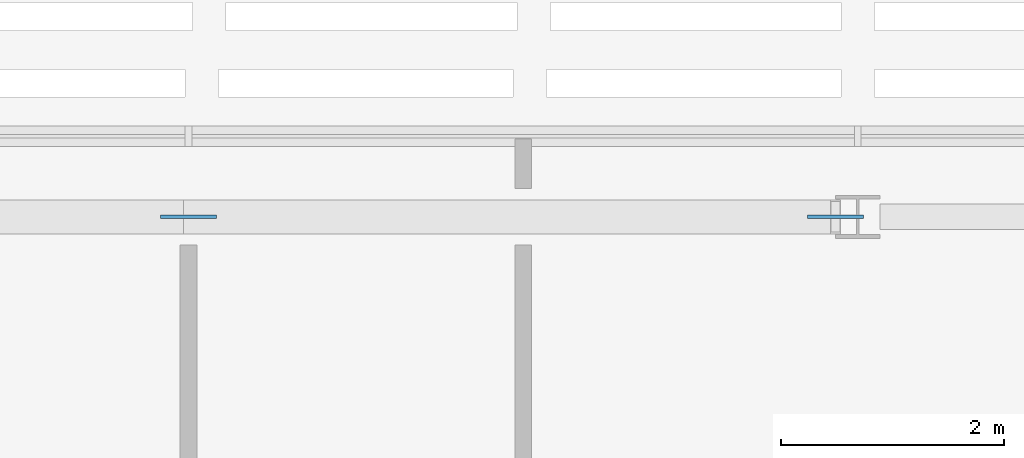
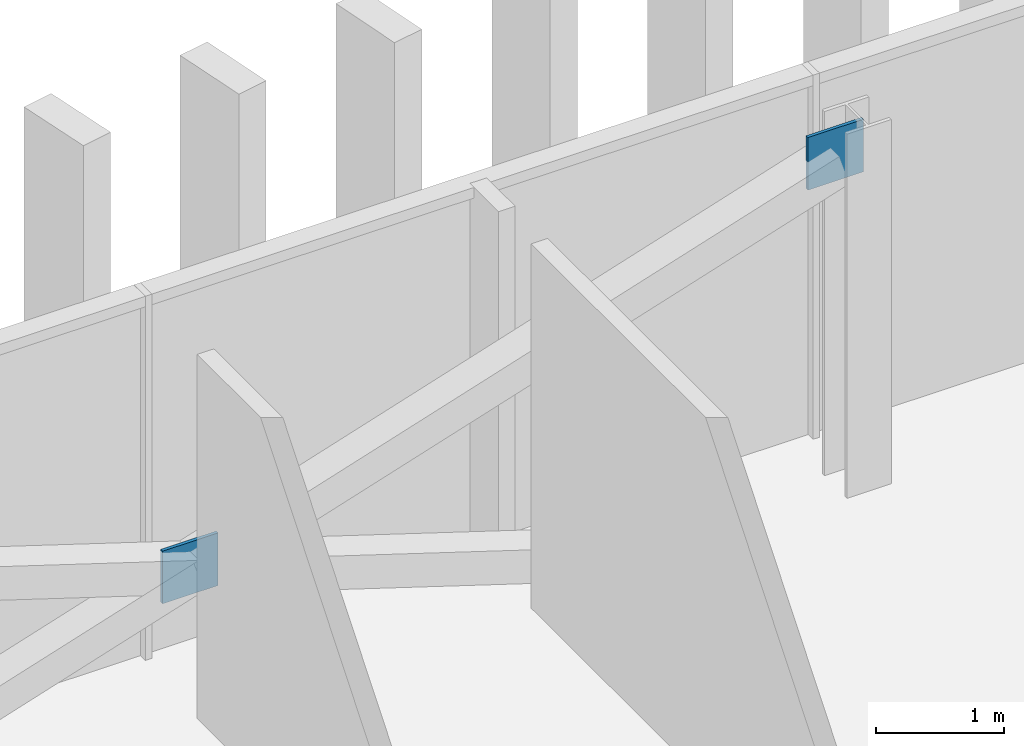
# One storey, part 25 of 34: 2 discrete accessories.
"""IFC4 building model written with IfcOpenShell, lengths in metres."""

import ifcopenshell
import ifcopenshell.guid

model = None  # the IFC model being written
_history = None  # IfcOwnerHistory: only IFC2X3 demands one
_inside = {}  # id of a spatial element -> (the spatial element, [elements in it])
_under = {}  # id of a project, library or spatial element -> (it, [spatial elements below it])
_declared = {}  # id of a project -> (the project, [libraries it declares])
_typed = {}  # id of a type object -> (the type object, [elements of that type])
_made_of = {}  # id of a material, layer set ... -> (it, [elements and type objects made of it])


def new_model(schema):
    """Start an empty IFC model of exactly this schema.

    Asked for "IFC4X3", IfcOpenShell would pick the latest addendum, in which some entities
    have other attributes; the version numbers below select the first issue.
    IFC2X3 requires an IfcOwnerHistory on every rooted entity: one is made here for all.
    """
    global model, _history
    if schema == "IFC4X3":
        model = ifcopenshell.file(schema_version=(4, 3, 0, 0))
    else:
        model = ifcopenshell.file(schema=schema)
    _inside.clear()
    _under.clear()
    _declared.clear()
    _typed.clear()
    _made_of.clear()
    _history = None
    if model.schema == "IFC2X3":
        org = make("IfcOrganization", Name="unknown")
        user = make(
            "IfcPersonAndOrganization",
            ThePerson=make("IfcPerson", FamilyName="unknown"),
            TheOrganization=org,
        )
        app = make(
            "IfcApplication",
            ApplicationDeveloper=org,
            Version="unknown",
            ApplicationFullName="unknown",
            ApplicationIdentifier="unknown",
        )
        _history = make(
            "IfcOwnerHistory",
            OwningUser=user,
            OwningApplication=app,
            ChangeAction="ADDED",
            CreationDate=0,
        )
    return model


def make(cls, **values):
    """One entity of the class cls with the attributes given. An attribute that is None is left unset."""
    return model.create_entity(
        cls, **{name: value for name, value in values.items() if value is not None}
    )


def rooted(cls, **values):
    """An entity with a GlobalId (a new one), such as an element, a storey or a relation."""
    return make(cls, GlobalId=ifcopenshell.guid.new(), OwnerHistory=_history, **values)


def si_unit(unit_type, name, prefix=None):
    """IfcSIUnit, for example si_unit("LENGTHUNIT", "METRE", prefix="MILLI")."""
    return make("IfcSIUnit", UnitType=unit_type, Prefix=prefix, Name=name)


def assignment(units):
    """IfcUnitAssignment: the units of a project."""
    return None if units is None else make("IfcUnitAssignment", Units=units)


def point(xyz):
    """IfcCartesianPoint."""
    return None if xyz is None else make("IfcCartesianPoint", Coordinates=xyz)


def direction(xyz):
    """IfcDirection."""
    return None if xyz is None else make("IfcDirection", DirectionRatios=xyz)


def frame(location, z_axis=None, x_axis=None):
    """IfcAxis2Placement3D, a coordinate frame: its origin and axes. An axis left out is left unset."""
    return make(
        "IfcAxis2Placement3D",
        Location=point(location),
        Axis=direction(z_axis),
        RefDirection=direction(x_axis),
    )


def frame_2d(location, x_axis=None):
    """IfcAxis2Placement2D, a coordinate frame in the plane: its origin and x axis."""
    return make(
        "IfcAxis2Placement2D", Location=point(location), RefDirection=direction(x_axis)
    )


def origin():
    """The frame at (0, 0, 0) with its axes left unset."""
    return frame((0.0, 0.0, 0.0))


def origin_2d():
    """The frame at (0, 0) in the plane with its x axis left unset."""
    return frame_2d((0.0, 0.0))


def place(relative_to, where):
    """IfcLocalPlacement: puts the frame where relative to a parent placement (None: the world)."""
    return make(
        "IfcLocalPlacement", PlacementRelTo=relative_to, RelativePlacement=where
    )


def context(
    kind, dimensions, precision=None, world=None, true_north=None, identifier=None
):
    """IfcGeometricRepresentationContext, for example the 3D "Model" context."""
    return make(
        "IfcGeometricRepresentationContext",
        ContextIdentifier=identifier,
        ContextType=kind,
        CoordinateSpaceDimension=dimensions,
        Precision=precision,
        WorldCoordinateSystem=world,
        TrueNorth=true_north,
    )


def subcontext(parent, identifier, kind, view, scale=None):
    """IfcGeometricRepresentationSubContext, for example "Body" below "Model"."""
    return make(
        "IfcGeometricRepresentationSubContext",
        ContextIdentifier=identifier,
        ContextType=kind,
        ParentContext=parent,
        TargetScale=scale,
        TargetView=view,
    )


def project(units=None, contexts=None):
    """IfcProject with its units and contexts."""
    return rooted(
        "IfcProject",
        Name="project",
        RepresentationContexts=contexts,
        UnitsInContext=assignment(units),
    )


def spatial(cls, under=None, at=None, **own):
    """A site, building, storey or space (cls), placed at a placement, below another one or the project."""
    s = rooted(cls, ObjectPlacement=at, **own)
    if under is not None:
        _under.setdefault(under.id(), (under, []))[1].append(s)
    return s


def profile(cls, at=None, kind="AREA", **sizes):
    """A parametric profile (cls). Its sizes go by their IFC names, for example OverallWidth=200.0."""
    return make(cls, ProfileType=kind, Position=at, **sizes)


def rectangle(**sizes):
    """IfcRectangleProfileDef."""
    return profile("IfcRectangleProfileDef", **sizes)


def extrude(swept, where, along, depth):
    """IfcExtrudedAreaSolid: the profile swept, set in the frame where, extruded along a direction by depth."""
    return make(
        "IfcExtrudedAreaSolid",
        SweptArea=swept,
        Position=where,
        ExtrudedDirection=direction(along),
        Depth=depth,
    )


def shape(context_of_items, identifier, shape_type, items):
    """IfcShapeRepresentation: the items that make up one representation, for example the "Body"."""
    return make(
        "IfcShapeRepresentation",
        ContextOfItems=context_of_items,
        RepresentationIdentifier=identifier,
        RepresentationType=shape_type,
        Items=items,
    )


def material(Name=None, Category=None):
    """IfcMaterial."""
    return make("IfcMaterial", Name=Name, Category=Category)


def layer(
    of_material, thickness, ventilated=None, Name=None, Category=None, Priority=None
):
    """IfcMaterialLayer: one layer of a wall or slab, of a material (None: an air gap)."""
    return make(
        "IfcMaterialLayer",
        Material=of_material,
        LayerThickness=thickness,
        IsVentilated=ventilated,
        Name=Name,
        Category=Category,
        Priority=Priority,
    )


def layer_set(layers, Name=None):
    """IfcMaterialLayerSet."""
    return make("IfcMaterialLayerSet", MaterialLayers=layers, LayerSetName=Name)


def made_of(thing, what):
    """Note that an element or type object is made of a material, layer set ...; save() writes the relation."""
    if what is not None:
        _made_of.setdefault(what.id(), (what, []))[1].append(thing)
    return thing


def type_object(cls, material=None, **own):
    """A type object (cls), such as IfcWallType, which elements share."""
    return made_of(rooted(cls, **own), material)


def element(
    cls,
    number,
    at=None,
    inside=None,
    cuts=None,
    type_object=None,
    material=None,
    context=None,
    identifier="Body",
    shape_type=None,
    held_by="IfcProductDefinitionShape",
    body=None,
    shapes=None,
    **own,
):
    """One element of the class cls, such as IfcWall. Its Tag is "e" and its number.

    at: its placement. inside: the storey or other place that contains it. cuts: it is an
    opening in that element (IfcRelVoidsElement). A single representation is given by context,
    identifier, shape_type and body (its items); several are given by shapes. held_by: the class
    of the entity that holds the representations. save() writes the other relations.
    """
    e = rooted(cls, Tag="e%d" % number, ObjectPlacement=at, **own)
    if body is not None:
        shapes = [shape(context, identifier, shape_type, body)]
    if shapes is not None:
        e.Representation = make(held_by, Representations=shapes)
    if inside is not None:
        _inside.setdefault(inside.id(), (inside, []))[1].append(e)
    if cuts is not None:
        rooted(
            "IfcRelVoidsElement", RelatingBuildingElement=cuts, RelatedOpeningElement=e
        )
    if type_object is not None:
        _typed.setdefault(type_object.id(), (type_object, []))[1].append(e)
    return made_of(e, material)


def aggregate(whole, parts):
    """IfcRelAggregates: a whole, such as a stair, and the parts it consists of."""
    return rooted("IfcRelAggregates", RelatingObject=whole, RelatedObjects=parts)


def save(model, path):
    """Write the relations noted so far, then the file.

    IfcRelAggregates (storeys below a building ...), IfcRelContainedInSpatialStructure (elements
    in a storey), IfcRelDefinesByType, IfcRelAssociatesMaterial and IfcRelDeclares: one each for
    every whole, place, type object, material and project.
    """
    for whole, parts in _under.values():
        aggregate(whole, parts)
    for where, things in _inside.values():
        rooted(
            "IfcRelContainedInSpatialStructure",
            RelatedElements=things,
            RelatingStructure=where,
        )
    for kind, things in _typed.values():
        rooted("IfcRelDefinesByType", RelatedObjects=things, RelatingType=kind)
    for what, things in _made_of.values():
        rooted("IfcRelAssociatesMaterial", RelatedObjects=things, RelatingMaterial=what)
    for by, libraries in _declared.values():
        rooted("IfcRelDeclares", RelatingContext=by, RelatedDefinitions=libraries)
    model.write(path)


model = new_model("IFC4")

# Units and contexts
model_context = context("Model", 3, precision=1e-05, world=origin(), true_north=direction((0.0, 1.0)))
body_context = subcontext(model_context, "Body", "Model", "MODEL_VIEW")
ifc_project = project(units=[si_unit("LENGTHUNIT", "METRE"), si_unit("AREAUNIT", "SQUARE_METRE"), si_unit("VOLUMEUNIT", "CUBIC_METRE"), si_unit("PLANEANGLEUNIT", "RADIAN"), si_unit("MASSUNIT", "GRAM", prefix="KILO")], contexts=[model_context])

# Site, building, storey
site_placement = place(None, origin())
site = spatial("IfcSite", under=ifc_project, at=site_placement, CompositionType="ELEMENT")
building_placement = place(site_placement, origin())
building = spatial("IfcBuilding", under=site, at=building_placement, Name="Mahtab Terrace Research Tower", CompositionType="ELEMENT")
storey_placement = place(building_placement, frame((0.0, 0.0, 247.60009765625)))
storey = spatial("IfcBuildingStorey", under=building, at=storey_placement, Name="L60", CompositionType="ELEMENT", Elevation=247.60009765625)

# Discrete accessories
ifc_material = material(Name="Steel ASTM A992 Gr 50", Category="steel")
ifc_layer = layer(ifc_material, 0.030029296875)
ifc_layer_set = layer_set([ifc_layer], Name="Gusset plate 500x500x30")
discrete_accessory_type = type_object("IfcDiscreteAccessoryType", Name="Gusset plate 500x500x30", PredefinedType="USERDEFINED", material=ifc_layer_set)
for number, where, z_axis, x_axis, name in (
    (1, (0.0, 26.472900390625, 1.00634765625), (0.0, 0.0, 1.0), (1.0, 0.0, 0.0), "Gusset plate"),
    (2, (5.800537109375, 26.472900390625, 2.906494140625), (0.0, 0.0, 1.0), (1.0, 0.0, 0.0), "Gusset plate"),
):
    element("IfcDiscreteAccessory", number, at=place(storey_placement, frame(where, z_axis=z_axis, x_axis=x_axis)), inside=storey, type_object=discrete_accessory_type, Name=name, ObjectType="GUSSET PLATE", PredefinedType="USERDEFINED", context=body_context, shape_type="SweptSolid", body=[
        extrude(rectangle(XDim=0.5, YDim=0.030029296875, at=origin_2d()), origin(), (0.0, 0.0, 1.0), 0.5),
    ])

save(model, "model.ifc")
